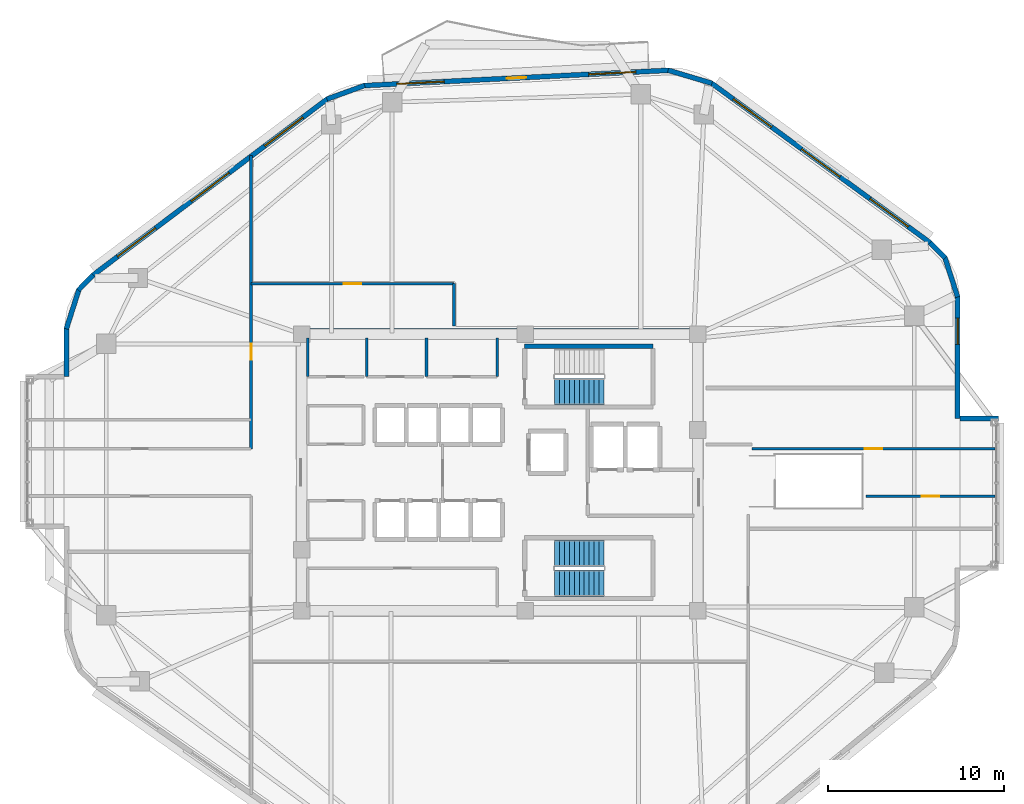
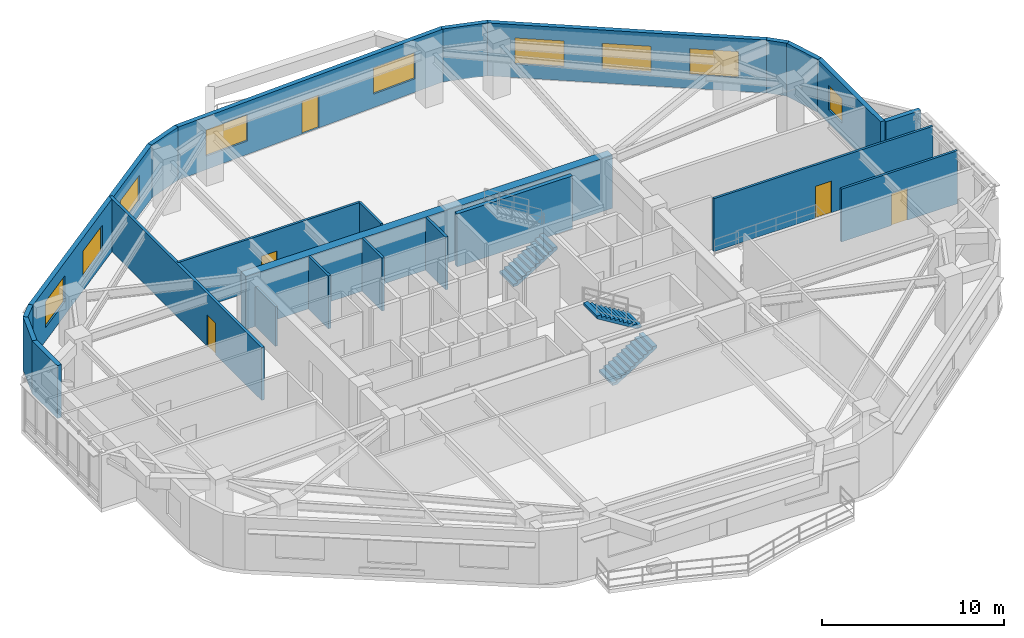
# One storey, part 10 of 14: 23 walls, 9 windows, 5 doors, 3 stair flights, 14 openings, 2 elements without a shape of their own.
"""IFC4 building model written with IfcOpenShell, lengths in metres."""

from ifc_helpers import new_model, si_unit, direction, frame, frame_2d, origin, place, context, subcontext, project, spatial, polyline, rectangle, outline, extrude, material, layer, layer_set, type_object, element, fill, aggregate, save


model = new_model("IFC4")

# Units and contexts
model_context = context("Model", 3, precision=1e-05, world=origin(), true_north=direction((0.0, 1.0)))
body_context = subcontext(model_context, "Body", "Model", "MODEL_VIEW")
ifc_project = project(units=[si_unit("LENGTHUNIT", "METRE"), si_unit("AREAUNIT", "SQUARE_METRE"), si_unit("VOLUMEUNIT", "CUBIC_METRE"), si_unit("PLANEANGLEUNIT", "RADIAN"), si_unit("MASSUNIT", "GRAM", prefix="KILO")], contexts=[model_context])

# Site, building, storey
site_placement = place(None, origin())
site = spatial("IfcSite", under=ifc_project, at=site_placement, CompositionType="ELEMENT")
building_placement = place(site_placement, origin())
building = spatial("IfcBuilding", under=site, at=building_placement, Name="Zulverin Broadcast Headquarters", CompositionType="ELEMENT")
storey_placement = place(building_placement, frame((0.0, 0.0, 128.800048828125)))
storey = spatial("IfcBuildingStorey", under=building, at=storey_placement, Name="L32", CompositionType="ELEMENT", Elevation=128.800048828125)

# Wall
ifc_material_1 = material(Name="Concrete C60/75", Category="concrete")
ifc_layer_1 = layer(ifc_material_1, 0.550048828125, Name="Concrete C60/75", Category="concrete")
ifc_layer_set_1 = layer_set([ifc_layer_1], Name="Concrete C60/75")
wall_type_1 = type_object("IfcWallType", Name="WL-CORE-550", PredefinedType="SHEAR", material=ifc_layer_set_1)
wall_1_placement = place(storey_placement, frame((25.39990234375, 33.125, 0.0), z_axis=(0.0, 0.0, 1.0), x_axis=(1.0, 0.0, 0.0)))
element("IfcWall", 1, at=wall_1_placement, inside=storey, type_object=wall_type_1, Name="L32 Core North Shear Wall", PredefinedType="SHEAR", context=body_context, shape_type="SweptSolid", body=[
    extrude(rectangle(XDim=23.2001953125, YDim=0.550048828125, at=frame_2d((11.60009765625, 0.0))), origin(), (0.0, 0.0, 1.0), 3.5400390625),
])

# Wall, opening, window
ifc_material_2 = material(Name="Insulated pale-metal clad concrete spandrel C40/50", Category="concrete")
ifc_layer_2 = layer(ifc_material_2, 0.280029296875, Name="Insulated pale-metal clad concrete spandrel C40/50", Category="concrete")
ifc_layer_set_2 = layer_set([ifc_layer_2], Name="Insulated pale-metal clad concrete spandrel C40/50")
wall_type_2 = type_object("IfcWallType", Name="WL-EXT-280", PredefinedType="STANDARD", material=ifc_layer_set_2)
wall_2_placement = place(storey_placement, frame((63.06005859375, 28.27001953125, 0.0), z_axis=(0.0, 0.0, 1.0), x_axis=(0.0, 1.0, 0.0)))
wall_2 = element("IfcWall", 2, at=wall_2_placement, inside=storey, type_object=wall_type_2, Name="L32 Pale-Metal Clad Flanking Spandrel Wall 3-2", PredefinedType="STANDARD", context=body_context, shape_type="SweptSolid", body=[
    extrude(rectangle(XDim=6.9599609375, YDim=0.280029296875, at=frame_2d((3.47998046875, 0.0))), origin(), (0.0, 0.0, 1.0), 3.5400390625),
])
opening_1_placement = place(wall_2_placement, frame((4.219970703125, 0.0, 0.89990234375)))
opening_1 = element("IfcOpeningElement", 3, at=opening_1_placement, cuts=wall_2, Name="Opening W-L32-E3F21", PredefinedType="OPENING", context=body_context, shape_type="SweptSolid", body=[
    extrude(rectangle(XDim=1.5, YDim=1.64990234375, at=frame_2d((0.75, 0.824951171875))), frame((0.0, 0.14990234375, 0.0), z_axis=(0.0, -1.0, 0.0), x_axis=(1.0, 0.0, 0.0)), (0.0, 0.0, 1.0), 0.300048828125),
])
ifc_material_3 = material(Name="Pale anodized aluminium frame with solar-control low-E double glazing", Category="aluminium")
window_type_1 = type_object("IfcWindowType", Name="WIN-STD-1500", PartitioningType="SINGLE_PANEL", PredefinedType="WINDOW", material=ifc_material_3)
window_1_placement = place(opening_1_placement, origin())
window_1 = element("IfcWindow", 4, at=window_1_placement, inside=storey, type_object=window_type_1, Name="L32 Flanking Ribbon Window 3-2 1", OverallHeight=1.64990234375, OverallWidth=1.5, PartitioningType="SINGLE_PANEL", PredefinedType="WINDOW", context=body_context, shape_type="SweptSolid", body=[
    extrude(rectangle(XDim=1.5, YDim=1.64990234375, at=frame_2d((0.75, 0.824951171875))), frame((0.0, 0.030029296875, 0.0), z_axis=(0.0, -1.0, 0.0), x_axis=(1.0, 0.0, 0.0)), (0.0, 0.0, 1.0), 0.06005859375),
])
fill(opening_1, window_1)

# Wall, openings, windows
wall_3_placement = place(storey_placement, frame((61.516357421875, 38.26708984375, 0.0), z_axis=(0.0, 0.0, 1.0), x_axis=(-0.807812505785, 0.589439526582, 0.0)))
wall_3 = element("IfcWall", 5, at=wall_3_placement, inside=storey, type_object=wall_type_2, Name="L32 Pale-Metal Clad Spandrel Wall 4", PredefinedType="STANDARD", context=body_context, shape_type="SweptSolid", body=[
    extrude(rectangle(XDim=15.448486328125, YDim=0.280029296875, at=frame_2d((7.72412109375, 0.0))), origin(), (0.0, 0.0, 1.0), 3.5400390625),
])
opening_2_placement = place(wall_3_placement, frame((1.55810546875, 0.0, 0.89990234375)))
opening_2 = element("IfcOpeningElement", 6, at=opening_2_placement, cuts=wall_3, Name="Opening W-L32-E41", PredefinedType="OPENING", context=body_context, shape_type="SweptSolid", body=[
    extrude(rectangle(XDim=2.699951171875, YDim=1.75, at=frame_2d((1.35009765625, 0.875))), frame((0.0, 0.14990234375, 0.0), z_axis=(0.0, -1.0, 0.0), x_axis=(1.0, 0.0, 0.0)), (0.0, 0.0, 1.0), 0.300048828125),
])
opening_3_placement = place(wall_3_placement, frame((6.374267578125, 0.0, 0.89990234375)))
opening_3 = element("IfcOpeningElement", 7, at=opening_3_placement, cuts=wall_3, Name="Opening W-L32-E42", PredefinedType="OPENING", context=body_context, shape_type="SweptSolid", body=[
    extrude(rectangle(XDim=2.699951171875, YDim=1.75, at=frame_2d((1.35009765625, 0.875))), frame((0.0, 0.14990234375, 0.0), z_axis=(0.0, -1.0, 0.0), x_axis=(1.0, 0.0, 0.0)), (0.0, 0.0, 1.0), 0.300048828125),
])
opening_4_placement = place(wall_3_placement, frame((11.1904296875, 0.0, 0.89990234375)))
opening_4 = element("IfcOpeningElement", 8, at=opening_4_placement, cuts=wall_3, Name="Opening W-L32-E43", PredefinedType="OPENING", context=body_context, shape_type="SweptSolid", body=[
    extrude(rectangle(XDim=2.699951171875, YDim=1.75, at=frame_2d((1.35009765625, 0.875))), frame((0.0, 0.14990234375, 0.0), z_axis=(0.0, -1.0, 0.0), x_axis=(1.0, 0.0, 0.0)), (0.0, 0.0, 1.0), 0.300048828125),
])
window_type_2 = type_object("IfcWindowType", Name="WIN-TWR-2700", PartitioningType="SINGLE_PANEL", PredefinedType="WINDOW", material=ifc_material_3)
window_2_placement = place(opening_2_placement, origin())
window_2 = element("IfcWindow", 9, at=window_2_placement, inside=storey, type_object=window_type_2, Name="L32 Ribbon Glazing Window 4 1", OverallHeight=1.75, OverallWidth=2.699951171875, PartitioningType="SINGLE_PANEL", PredefinedType="WINDOW", context=body_context, shape_type="SweptSolid", body=[
    extrude(rectangle(XDim=2.699951171875, YDim=1.75, at=frame_2d((1.35009765625, 0.875))), frame((0.0, 0.030029296875, 0.0), z_axis=(0.0, -1.0, 0.0), x_axis=(1.0, 0.0, 0.0)), (0.0, 0.0, 1.0), 0.06005859375),
])
fill(opening_2, window_2)
window_3_placement = place(opening_3_placement, origin())
window_3 = element("IfcWindow", 10, at=window_3_placement, inside=storey, type_object=window_type_2, Name="L32 Ribbon Glazing Window 4 2", OverallHeight=1.75, OverallWidth=2.699951171875, PartitioningType="SINGLE_PANEL", PredefinedType="WINDOW", context=body_context, shape_type="SweptSolid", body=[
    extrude(rectangle(XDim=2.699951171875, YDim=1.75, at=frame_2d((1.35009765625, 0.875))), frame((0.0, 0.030029296875, 0.0), z_axis=(0.0, -1.0, 0.0), x_axis=(1.0, 0.0, 0.0)), (0.0, 0.0, 1.0), 0.06005859375),
])
fill(opening_3, window_3)
window_4_placement = place(opening_4_placement, origin())
window_4 = element("IfcWindow", 11, at=window_4_placement, inside=storey, type_object=window_type_2, Name="L32 Ribbon Glazing Window 4 3", OverallHeight=1.75, OverallWidth=2.699951171875, PartitioningType="SINGLE_PANEL", PredefinedType="WINDOW", context=body_context, shape_type="SweptSolid", body=[
    extrude(rectangle(XDim=2.699951171875, YDim=1.75, at=frame_2d((1.35009765625, 0.875))), frame((0.0, 0.030029296875, 0.0), z_axis=(0.0, -1.0, 0.0), x_axis=(1.0, 0.0, 0.0)), (0.0, 0.0, 1.0), 0.06005859375),
])
fill(opening_4, window_4)

# Wall, openings, door, windows
wall_4_placement = place(storey_placement, frame((46.632080078125, 48.091064453125, 0.0), z_axis=(0.0, 0.0, 1.0), x_axis=(-0.998744129094, -0.050101542886, 0.0)))
wall_4 = element("IfcWall", 12, at=wall_4_placement, inside=storey, type_object=wall_type_2, Name="L32 Pale-Metal Clad Spandrel Wall 5", PredefinedType="STANDARD", context=body_context, shape_type="SweptSolid", body=[
    extrude(rectangle(XDim=17.381591796875, YDim=0.280029296875, at=frame_2d((8.69091796875, 0.0))), origin(), (0.0, 0.0, 1.0), 3.5400390625),
])
opening_5_placement = place(wall_4_placement, frame((8.140869140625, 0.0, 0.0)))
opening_5 = element("IfcOpeningElement", 13, at=opening_5_placement, cuts=wall_4, Name="Opening D-L32-TR5", PredefinedType="OPENING", context=body_context, shape_type="SweptSolid", body=[
    extrude(rectangle(XDim=1.10009765625, YDim=2.199951171875, at=frame_2d((0.550048828125, 1.10009765625))), frame((0.0, 0.14990234375, 0.0), z_axis=(0.0, -1.0, 0.0), x_axis=(1.0, 0.0, 0.0)), (0.0, 0.0, 1.0), 0.300048828125),
])
opening_6_placement = place(wall_4_placement, frame((1.88037109375, 0.0, 0.89990234375)))
opening_6 = element("IfcOpeningElement", 14, at=opening_6_placement, cuts=wall_4, Name="Opening W-L32-E51", PredefinedType="OPENING", context=body_context, shape_type="SweptSolid", body=[
    extrude(rectangle(XDim=2.699951171875, YDim=1.75, at=frame_2d((1.35009765625, 0.875))), frame((0.0, 0.14990234375, 0.0), z_axis=(0.0, -1.0, 0.0), x_axis=(1.0, 0.0, 0.0)), (0.0, 0.0, 1.0), 0.300048828125),
])
opening_7_placement = place(wall_4_placement, frame((12.801513671875, 0.0, 0.89990234375)))
opening_7 = element("IfcOpeningElement", 15, at=opening_7_placement, cuts=wall_4, Name="Opening W-L32-E52", PredefinedType="OPENING", context=body_context, shape_type="SweptSolid", body=[
    extrude(rectangle(XDim=2.699951171875, YDim=1.75, at=frame_2d((1.35009765625, 0.875))), frame((0.0, 0.14990234375, 0.0), z_axis=(0.0, -1.0, 0.0), x_axis=(1.0, 0.0, 0.0)), (0.0, 0.0, 1.0), 0.300048828125),
])
ifc_material_4 = material(Name="Thermally broken aluminium glazed", Category="aluminium")
door_type_1 = type_object("IfcDoorType", Name="DR-TERR-1100", OperationType="SINGLE_SWING_RIGHT", PredefinedType="DOOR", material=ifc_material_4)
door_1_placement = place(opening_5_placement, origin())
door_1 = element("IfcDoor", 16, at=door_1_placement, inside=storey, type_object=door_type_1, Name="L32 Planted Terrace Glazed Access Door 5", OperationType="SINGLE_SWING_RIGHT", OverallHeight=2.199951171875, OverallWidth=1.10009765625, PredefinedType="DOOR", context=body_context, shape_type="SweptSolid", body=[
    extrude(rectangle(XDim=1.10009765625, YDim=2.199951171875, at=frame_2d((0.550048828125, 1.10009765625))), frame((0.0, 0.02490234375, 0.0), z_axis=(0.0, -1.0, 0.0), x_axis=(1.0, 0.0, 0.0)), (0.0, 0.0, 1.0), 0.050048828125),
])
fill(opening_5, door_1)
window_5_placement = place(opening_6_placement, origin())
window_5 = element("IfcWindow", 17, at=window_5_placement, inside=storey, type_object=window_type_2, Name="L32 Ribbon Glazing Window 5 1", OverallHeight=1.75, OverallWidth=2.699951171875, PartitioningType="SINGLE_PANEL", PredefinedType="WINDOW", context=body_context, shape_type="SweptSolid", body=[
    extrude(rectangle(XDim=2.699951171875, YDim=1.75, at=frame_2d((1.35009765625, 0.875))), frame((0.0, 0.030029296875, 0.0), z_axis=(0.0, -1.0, 0.0), x_axis=(1.0, 0.0, 0.0)), (0.0, 0.0, 1.0), 0.06005859375),
])
fill(opening_6, window_5)
window_6_placement = place(opening_7_placement, origin())
window_6 = element("IfcWindow", 18, at=window_6_placement, inside=storey, type_object=window_type_2, Name="L32 Ribbon Glazing Window 5 2", OverallHeight=1.75, OverallWidth=2.699951171875, PartitioningType="SINGLE_PANEL", PredefinedType="WINDOW", context=body_context, shape_type="SweptSolid", body=[
    extrude(rectangle(XDim=2.699951171875, YDim=1.75, at=frame_2d((1.35009765625, 0.875))), frame((0.0, 0.030029296875, 0.0), z_axis=(0.0, -1.0, 0.0), x_axis=(1.0, 0.0, 0.0)), (0.0, 0.0, 1.0), 0.06005859375),
])
fill(opening_7, window_6)

# Wall, openings, windows
wall_5_placement = place(storey_placement, frame((27.201171875, 46.469970703125, 0.0), z_axis=(0.0, 0.0, 1.0), x_axis=(-0.799280853427, -0.600957666849, 0.0)))
wall_5 = element("IfcWall", 19, at=wall_5_placement, inside=storey, type_object=wall_type_2, Name="L32 Pale-Metal Clad Spandrel Wall 6", PredefinedType="STANDARD", context=body_context, shape_type="SweptSolid", body=[
    extrude(rectangle(XDim=16.716064453125, YDim=0.280029296875, at=frame_2d((8.35791015625, 0.0))), origin(), (0.0, 0.0, 1.0), 3.5400390625),
])
opening_8_placement = place(wall_5_placement, frame((1.769287109375, 0.0, 0.89990234375)))
opening_8 = element("IfcOpeningElement", 20, at=opening_8_placement, cuts=wall_5, Name="Opening W-L32-E61", PredefinedType="OPENING", context=body_context, shape_type="SweptSolid", body=[
    extrude(rectangle(XDim=2.699951171875, YDim=1.75, at=frame_2d((1.35009765625, 0.875))), frame((0.0, 0.14990234375, 0.0), z_axis=(0.0, -1.0, 0.0), x_axis=(1.0, 0.0, 0.0)), (0.0, 0.0, 1.0), 0.300048828125),
])
opening_9_placement = place(wall_5_placement, frame((7.008056640625, 0.0, 0.89990234375)))
opening_9 = element("IfcOpeningElement", 21, at=opening_9_placement, cuts=wall_5, Name="Opening W-L32-E62", PredefinedType="OPENING", context=body_context, shape_type="SweptSolid", body=[
    extrude(rectangle(XDim=2.699951171875, YDim=1.75, at=frame_2d((1.35009765625, 0.875))), frame((0.0, 0.14990234375, 0.0), z_axis=(0.0, -1.0, 0.0), x_axis=(1.0, 0.0, 0.0)), (0.0, 0.0, 1.0), 0.300048828125),
])
opening_10_placement = place(wall_5_placement, frame((12.246826171875, 0.0, 0.89990234375)))
opening_10 = element("IfcOpeningElement", 22, at=opening_10_placement, cuts=wall_5, Name="Opening W-L32-E63", PredefinedType="OPENING", context=body_context, shape_type="SweptSolid", body=[
    extrude(rectangle(XDim=2.699951171875, YDim=1.75, at=frame_2d((1.35009765625, 0.875))), frame((0.0, 0.14990234375, 0.0), z_axis=(0.0, -1.0, 0.0), x_axis=(1.0, 0.0, 0.0)), (0.0, 0.0, 1.0), 0.300048828125),
])
window_7_placement = place(opening_8_placement, origin())
window_7 = element("IfcWindow", 23, at=window_7_placement, inside=storey, type_object=window_type_2, Name="L32 Ribbon Glazing Window 6 1", OverallHeight=1.75, OverallWidth=2.699951171875, PartitioningType="SINGLE_PANEL", PredefinedType="WINDOW", context=body_context, shape_type="SweptSolid", body=[
    extrude(rectangle(XDim=2.699951171875, YDim=1.75, at=frame_2d((1.35009765625, 0.875))), frame((0.0, 0.030029296875, 0.0), z_axis=(0.0, -1.0, 0.0), x_axis=(1.0, 0.0, 0.0)), (0.0, 0.0, 1.0), 0.06005859375),
])
fill(opening_8, window_7)
window_8_placement = place(opening_9_placement, origin())
window_8 = element("IfcWindow", 24, at=window_8_placement, inside=storey, type_object=window_type_2, Name="L32 Ribbon Glazing Window 6 2", OverallHeight=1.75, OverallWidth=2.699951171875, PartitioningType="SINGLE_PANEL", PredefinedType="WINDOW", context=body_context, shape_type="SweptSolid", body=[
    extrude(rectangle(XDim=2.699951171875, YDim=1.75, at=frame_2d((1.35009765625, 0.875))), frame((0.0, 0.030029296875, 0.0), z_axis=(0.0, -1.0, 0.0), x_axis=(1.0, 0.0, 0.0)), (0.0, 0.0, 1.0), 0.06005859375),
])
fill(opening_9, window_8)
window_9_placement = place(opening_10_placement, origin())
window_9 = element("IfcWindow", 25, at=window_9_placement, inside=storey, type_object=window_type_2, Name="L32 Ribbon Glazing Window 6 3", OverallHeight=1.75, OverallWidth=2.699951171875, PartitioningType="SINGLE_PANEL", PredefinedType="WINDOW", context=body_context, shape_type="SweptSolid", body=[
    extrude(rectangle(XDim=2.699951171875, YDim=1.75, at=frame_2d((1.35009765625, 0.875))), frame((0.0, 0.030029296875, 0.0), z_axis=(0.0, -1.0, 0.0), x_axis=(1.0, 0.0, 0.0)), (0.0, 0.0, 1.0), 0.06005859375),
])
fill(opening_10, window_9)

# Walls
wall_6_placement = place(storey_placement, frame((12.340087890625, 33.4189453125, 0.0), z_axis=(0.0, 0.0, 1.0), x_axis=(0.0, -1.0, 0.0)))
element("IfcWall", 26, at=wall_6_placement, inside=storey, type_object=wall_type_2, Name="L32 Pale-Metal Clad Flanking Spandrel Wall 7-1", PredefinedType="STANDARD", context=body_context, shape_type="SweptSolid", body=[
    extrude(rectangle(XDim=2.76904296875, YDim=0.280029296875, at=frame_2d((1.384521484375, 0.0))), origin(), (0.0, 0.0, 1.0), 3.5400390625),
])
wall_7_placement = place(storey_placement, frame((63.06689453125, 35.186767578125, 0.0), z_axis=(0.0, 0.0, 1.0), x_axis=(-0.308390504294, 0.951259847182, 0.0)))
element("IfcWall", 27, at=wall_7_placement, inside=storey, type_object=wall_type_2, Name="L32 Wind-Shaped Corner Spandrel Wall 3-1", PredefinedType="STANDARD", context=body_context, shape_type="SweptSolid", body=[
    extrude(rectangle(XDim=2.405029296875, YDim=0.280029296875, at=frame_2d((1.20263671875, 0.0))), origin(), (0.0, 0.0, 1.0), 3.5400390625),
])
wall_8_placement = place(storey_placement, frame((62.359130859375, 37.419189453125, 0.0), z_axis=(0.0, 0.0, 1.0), x_axis=(-0.706003104649, 0.708208737751, 0.0)))
element("IfcWall", 28, at=wall_8_placement, inside=storey, type_object=wall_type_2, Name="L32 Wind-Shaped Corner Spandrel Wall 3-2", PredefinedType="STANDARD", context=body_context, shape_type="SweptSolid", body=[
    extrude(rectangle(XDim=1.217529296875, YDim=0.280029296875, at=frame_2d((0.60888671875, 0.0))), origin(), (0.0, 0.0, 1.0), 3.5400390625),
])
wall_9_placement = place(storey_placement, frame((49.079345703125, 47.35205078125, 0.0), z_axis=(0.0, 0.0, 1.0), x_axis=(-0.958207501709, 0.286074087726, 0.0)))
element("IfcWall", 29, at=wall_9_placement, inside=storey, type_object=wall_type_2, Name="L32 Wind-Shaped Corner Spandrel Wall 4-1", PredefinedType="STANDARD", context=body_context, shape_type="SweptSolid", body=[
    extrude(rectangle(XDim=2.60302734375, YDim=0.280029296875, at=frame_2d((1.301513671875, 0.0))), origin(), (0.0, 0.0, 1.0), 3.5400390625),
])
wall_10_placement = place(storey_placement, frame((29.31298828125, 47.228271484375, 0.0), z_axis=(0.0, 0.0, 1.0), x_axis=(-0.940226330758, -0.340550212084, 0.0)))
element("IfcWall", 30, at=wall_10_placement, inside=storey, type_object=wall_type_2, Name="L32 Wind-Shaped Corner Spandrel Wall 5-1", PredefinedType="STANDARD", context=body_context, shape_type="SweptSolid", body=[
    extrude(rectangle(XDim=2.28466796875, YDim=0.280029296875, at=frame_2d((1.142333984375, 0.0))), origin(), (0.0, 0.0, 1.0), 3.5400390625),
])
wall_11_placement = place(storey_placement, frame((13.8564453125, 36.4384765625, 0.0), z_axis=(0.0, 0.0, 1.0), x_axis=(-0.697369094044, -0.716712178404, 0.0)))
element("IfcWall", 31, at=wall_11_placement, inside=storey, type_object=wall_type_2, Name="L32 Wind-Shaped Corner Spandrel Wall 6-1", PredefinedType="STANDARD", context=body_context, shape_type="SweptSolid", body=[
    extrude(rectangle(XDim=1.198974609375, YDim=0.280029296875, at=frame_2d((0.599609375, 0.0))), origin(), (0.0, 0.0, 1.0), 3.5400390625),
])
wall_12_placement = place(storey_placement, frame((13.053466796875, 35.63427734375, 0.0), z_axis=(0.0, 0.0, 1.0), x_axis=(-0.303807416298, -0.952733464198, 0.0)))
element("IfcWall", 32, at=wall_12_placement, inside=storey, type_object=wall_type_2, Name="L32 Wind-Shaped Corner Spandrel Wall 6-2", PredefinedType="STANDARD", context=body_context, shape_type="SweptSolid", body=[
    extrude(rectangle(XDim=2.369873046875, YDim=0.280029296875, at=frame_2d((1.18505859375, 0.0))), origin(), (0.0, 0.0, 1.0), 3.5400390625),
])
wall_13_placement = place(storey_placement, frame((63.199951171875, 28.27001953125, 0.0), z_axis=(0.0, 0.0, 1.0), x_axis=(1.0, 0.0, 0.0)))
element("IfcWall", 33, at=wall_13_placement, inside=storey, type_object=wall_type_2, Name="L32 Shifted Studio Box Cheek Wall SBOX_SKY1_E-N", PredefinedType="STANDARD", context=body_context, shape_type="SweptSolid", body=[
    extrude(rectangle(XDim=2.199951171875, YDim=0.280029296875, at=frame_2d((1.10009765625, 0.0))), origin(), (0.0, 0.0, 1.0), 3.5400390625),
])
ifc_material_5 = material(Name="Fire-rated gypsum stud partition", Category="gypsum")
ifc_layer_3 = layer(ifc_material_5, 0.14990234375, Name="Fire-rated gypsum stud partition", Category="gypsum")
ifc_layer_set_3 = layer_set([ifc_layer_3], Name="Fire-rated gypsum stud partition")
wall_type_3 = type_object("IfcWallType", Name="WL-PART-150", PredefinedType="PARTITIONING", material=ifc_layer_set_3)
wall_14_placement = place(storey_placement, frame((26.070068359375, 30.64990234375, 0.0), z_axis=(0.0, 0.0, 1.0), x_axis=(0.0, 1.0, 0.0)))
element("IfcWall", 34, at=wall_14_placement, inside=storey, type_object=wall_type_3, Name="L32 Core Accessible WC West Wall", PredefinedType="PARTITIONING", context=body_context, shape_type="SweptSolid", body=[
    extrude(rectangle(XDim=2.2001953125, YDim=0.14990234375, at=frame_2d((1.10009765625, 0.0))), origin(), (0.0, 0.0, 1.0), 2.639892578125),
])
for number, where, z_axis, x_axis, name in (
    (35, (29.429931640625, 30.64990234375, 0.0), (0.0, 0.0, 1.0), (0.0, 1.0, 0.0), "L32 Core Male WC West Wall"),
    (36, (32.830078125, 30.64990234375, 0.0), (0.0, 0.0, 1.0), (0.0, 1.0, 0.0), "L32 Core Electrical Switch Riser West Wall"),
    (37, (36.85009765625, 30.64990234375, 0.0), (0.0, 0.0, 1.0), (0.0, 1.0, 0.0), "L32 Core Electrical Switch Riser East Wall"),
):
    element("IfcWall", number, at=place(storey_placement, frame(where, z_axis=z_axis, x_axis=x_axis)), inside=storey, type_object=wall_type_3, Name=name, PredefinedType="PARTITIONING", context=body_context, shape_type="SweptSolid", body=[
        extrude(rectangle(XDim=2.2001953125, YDim=0.14990234375, at=frame_2d((1.10009765625, 0.0))), origin(), (0.0, 0.0, 1.0), 3.5400390625),
    ])
wall_15_placement = place(storey_placement, frame((34.39990234375, 33.5400390625, 0.0), z_axis=(0.0, 0.0, 1.0), x_axis=(0.0, 1.0, 0.0)))
element("IfcWall", 38, at=wall_15_placement, inside=storey, type_object=wall_type_3, Name="L32 Gallery Partition Wall CG-02", PredefinedType="PARTITIONING", context=body_context, shape_type="SweptSolid", body=[
    extrude(rectangle(XDim=2.409912109375, YDim=0.14990234375, at=frame_2d((1.205078125, 0.0))), origin(), (0.0, 0.0, 1.0), 3.5400390625),
])

# Wall, opening, door
wall_16_placement = place(storey_placement, frame((57.860107421875, 23.85009765625, 0.0), z_axis=(0.0, 0.0, 1.0), x_axis=(1.0, 0.0, 0.0)))
wall_16 = element("IfcWall", 39, at=wall_16_placement, inside=storey, type_object=wall_type_3, Name="L32 Gallery Partition Wall CG-09", PredefinedType="PARTITIONING", context=body_context, shape_type="SweptSolid", body=[
    extrude(rectangle(XDim=7.3349609375, YDim=0.14990234375, at=frame_2d((3.66748046875, 0.0))), origin(), (0.0, 0.0, 1.0), 3.5400390625),
])
opening_11_placement = place(wall_16_placement, frame((3.16748046875, 0.0, 0.0)))
opening_11 = element("IfcOpeningElement", 40, at=opening_11_placement, cuts=wall_16, Name="Opening D-L32-08", PredefinedType="OPENING", context=body_context, shape_type="SweptSolid", body=[
    extrude(rectangle(XDim=1.0, YDim=2.1201171875, at=frame_2d((0.5, 1.06005859375))), frame((0.0, 0.0849609375, 0.0), z_axis=(0.0, -1.0, 0.0), x_axis=(1.0, 0.0, 0.0)), (0.0, 0.0, 1.0), 0.169921875),
])
ifc_material_6 = material(Name="Hardwood veneer acoustic leaf", Category="wood")
door_type_2 = type_object("IfcDoorType", Name="DR-OFF-1000", OperationType="SINGLE_SWING_LEFT", PredefinedType="DOOR", material=ifc_material_6)
door_2_placement = place(opening_11_placement, origin())
door_2 = element("IfcDoor", 41, at=door_2_placement, inside=storey, type_object=door_type_2, Name="L32 Current Affairs Open Workplace Door", OperationType="SINGLE_SWING_LEFT", OverallHeight=2.1201171875, OverallWidth=1.0, PredefinedType="DOOR", context=body_context, shape_type="SweptSolid", body=[
    extrude(rectangle(XDim=1.0, YDim=2.1201171875, at=frame_2d((0.5, 1.06005859375))), frame((0.0, 0.02490234375, 0.0), z_axis=(0.0, -1.0, 0.0), x_axis=(1.0, 0.0, 0.0)), (0.0, 0.0, 1.0), 0.050048828125),
])
fill(opening_11, door_2)

wall_17_placement = place(storey_placement, frame((51.35009765625, 26.550048828125, 0.0), z_axis=(0.0, 0.0, 1.0), x_axis=(1.0, 0.0, 0.0)))
wall_17 = element("IfcWall", 42, at=wall_17_placement, inside=storey, type_object=wall_type_3, Name="L32 Gallery Partition Wall CG-11", PredefinedType="PARTITIONING", context=body_context, shape_type="SweptSolid", body=[
    extrude(rectangle(XDim=13.844970703125, YDim=0.14990234375, at=frame_2d((6.92236328125, 0.0))), origin(), (0.0, 0.0, 1.0), 3.5400390625),
])
opening_12_placement = place(wall_17_placement, frame((6.422607421875, 0.0, 0.0)))
opening_12 = element("IfcOpeningElement", 43, at=opening_12_placement, cuts=wall_17, Name="Opening D-L32-09", PredefinedType="OPENING", context=body_context, shape_type="SweptSolid", body=[
    extrude(rectangle(XDim=1.0, YDim=2.1201171875, at=frame_2d((0.5, 1.06005859375))), frame((0.0, 0.0849609375, 0.0), z_axis=(0.0, -1.0, 0.0), x_axis=(1.0, 0.0, 0.0)), (0.0, 0.0, 1.0), 0.169921875),
])
door_3_placement = place(opening_12_placement, origin())
door_3 = element("IfcDoor", 44, at=door_3_placement, inside=storey, type_object=door_type_2, Name="L32 Foreign Desk Office Door", OperationType="SINGLE_SWING_RIGHT", OverallHeight=2.1201171875, OverallWidth=1.0, PredefinedType="DOOR", context=body_context, shape_type="SweptSolid", body=[
    extrude(rectangle(XDim=1.0, YDim=2.1201171875, at=frame_2d((0.5, 1.06005859375))), frame((0.0, 0.02490234375, 0.0), z_axis=(0.0, -1.0, 0.0), x_axis=(1.0, 0.0, 0.0)), (0.0, 0.0, 1.0), 0.050048828125),
])
fill(opening_12, door_3)

wall_18_placement = place(storey_placement, frame((22.85009765625, 35.949951171875, 0.0), z_axis=(0.0, 0.0, 1.0), x_axis=(1.0, 0.0, 0.0)))
wall_18 = element("IfcWall", 45, at=wall_18_placement, inside=storey, type_object=wall_type_3, Name="L32 Gallery Partition Wall CG-15", PredefinedType="PARTITIONING", context=body_context, shape_type="SweptSolid", body=[
    extrude(rectangle(XDim=11.5498046875, YDim=0.14990234375, at=frame_2d((5.77490234375, 0.0))), origin(), (0.0, 0.0, 1.0), 3.5400390625),
])
opening_13_placement = place(wall_18_placement, frame((5.27490234375, 0.0, 0.0)))
opening_13 = element("IfcOpeningElement", 46, at=opening_13_placement, cuts=wall_18, Name="Opening D-L32-01", PredefinedType="OPENING", context=body_context, shape_type="SweptSolid", body=[
    extrude(rectangle(XDim=1.0, YDim=2.1201171875, at=frame_2d((0.5, 1.06005859375))), frame((0.0, 0.0849609375, 0.0), z_axis=(0.0, -1.0, 0.0), x_axis=(1.0, 0.0, 0.0)), (0.0, 0.0, 1.0), 0.169921875),
])
door_4_placement = place(opening_13_placement, origin())
door_4 = element("IfcDoor", 47, at=door_4_placement, inside=storey, type_object=door_type_2, Name="L32 Current Affairs Open Workplace Door", OperationType="SINGLE_SWING_RIGHT", OverallHeight=2.1201171875, OverallWidth=1.0, PredefinedType="DOOR", context=body_context, shape_type="SweptSolid", body=[
    extrude(rectangle(XDim=1.0, YDim=2.1201171875, at=frame_2d((0.5, 1.06005859375))), frame((0.0, 0.02490234375, 0.0), z_axis=(0.0, -1.0, 0.0), x_axis=(1.0, 0.0, 0.0)), (0.0, 0.0, 1.0), 0.050048828125),
])
fill(opening_13, door_4)

ifc_material_7 = material(Name="Fire-rated acoustic stud wall", Category="gypsum")
ifc_layer_4 = layer(ifc_material_7, 0.175048828125, Name="Fire-rated acoustic stud wall", Category="gypsum")
ifc_layer_set_4 = layer_set([ifc_layer_4], Name="Fire-rated acoustic stud wall")
wall_type_4 = type_object("IfcWallType", Name="WL-PART-175", PredefinedType="PARTITIONING", material=ifc_layer_set_4)
wall_19_placement = place(storey_placement, frame((22.85009765625, 26.550048828125, 0.0), z_axis=(0.0, 0.0, 1.0), x_axis=(0.0, 1.0, 0.0)))
wall_19 = element("IfcWall", 48, at=wall_19_placement, inside=storey, type_object=wall_type_4, Name="L32 Gallery Partition Wall CG-04", PredefinedType="PARTITIONING", context=body_context, shape_type="SweptSolid", body=[
    extrude(rectangle(XDim=16.68359375, YDim=0.175048828125, at=frame_2d((8.341796875, 0.0))), origin(), (0.0, 0.0, 1.0), 3.5400390625),
])
opening_14_placement = place(wall_19_placement, frame((5.074951171875, 0.0, 0.0)))
opening_14 = element("IfcOpeningElement", 49, at=opening_14_placement, cuts=wall_19, Name="Opening D-L32-06", PredefinedType="OPENING", context=body_context, shape_type="SweptSolid", body=[
    extrude(rectangle(XDim=0.89990234375, YDim=2.10009765625, at=frame_2d((0.449951171875, 1.050048828125))), frame((0.0, 0.097412109375, 0.0), z_axis=(0.0, -1.0, 0.0), x_axis=(1.0, 0.0, 0.0)), (0.0, 0.0, 1.0), 0.195068359375),
])
ifc_material_8 = material(Name="Fire-rated hardwood veneer timber leaf", Category="wood")
door_type_3 = type_object("IfcDoorType", Name="DR-ROOM-900", OperationType="SINGLE_SWING_RIGHT", PredefinedType="DOOR", material=ifc_material_8)
door_5_placement = place(opening_14_placement, origin())
door_5 = element("IfcDoor", 50, at=door_5_placement, inside=storey, type_object=door_type_3, Name="L32 Refreshment Pantry Door", OperationType="SINGLE_SWING_LEFT", OverallHeight=2.10009765625, OverallWidth=0.89990234375, PredefinedType="DOOR", context=body_context, shape_type="SweptSolid", body=[
    extrude(rectangle(XDim=0.89990234375, YDim=2.10009765625, at=frame_2d((0.449951171875, 1.050048828125))), frame((0.0, 0.02490234375, 0.0), z_axis=(0.0, -1.0, 0.0), x_axis=(1.0, 0.0, 0.0)), (0.0, 0.0, 1.0), 0.050048828125),
])
fill(opening_14, door_5)

# Wall
ifc_material_9 = material(Name="Concrete C50/60", Category="concrete")
ifc_layer_5 = layer(ifc_material_9, 0.25, Name="Concrete C50/60", Category="concrete")
ifc_layer_set_5 = layer_set([ifc_layer_5], Name="Concrete C50/60")
wall_type_5 = type_object("IfcWallType", Name="WL-SHAFT-250", PredefinedType="SHEAR", material=ifc_layer_set_5)
wall_20_placement = place(storey_placement, frame((38.425048828125, 32.375, 0.0), z_axis=(0.0, 0.0, 1.0), x_axis=(1.0, 0.0, 0.0)))
element("IfcWall", 51, at=wall_20_placement, inside=storey, type_object=wall_type_5, Name="L32 ST-1 Enclosure Wall N", PredefinedType="SHEAR", context=body_context, shape_type="SweptSolid", body=[
    extrude(rectangle(XDim=7.300048828125, YDim=0.25, at=frame_2d((3.64990234375, 0.0))), origin(), (0.0, 0.0, 1.0), 3.5400390625),
])

# Stair, stair flight
ifc_material_10 = material(Name="Concrete C40/50", Category="concrete")
stair_type = type_object("IfcStairType", Name="ST-CORE-1500", PredefinedType="HALF_TURN_STAIR", material=ifc_material_10)
stair_1_placement = place(storey_placement, origin())
stair_1 = element("IfcStair", 52, at=stair_1_placement, inside=storey, type_object=stair_type, Name="L32 Core Exit Stair ST-1", PredefinedType="HALF_TURN_STAIR")
stair_flight_type = type_object("IfcStairFlightType", Name="SF-CORE-1500", PredefinedType="STRAIGHT", material=ifc_material_10)
stair_flight_1_placement = place(storey_placement, frame((40.1298828125, 29.800048828125, 0.0), z_axis=(0.0, 0.0, 1.0), x_axis=(1.0, 0.0, 0.0)))
stair_flight_1 = element("IfcStairFlight", 53, at=stair_flight_1_placement, type_object=stair_flight_type, Name="ST-1 flight 1", NumberOfRisers=11, NumberOfTreads=10, PredefinedType="STRAIGHT", RiserHeight=0.172727273, TreadLength=0.28, context=body_context, shape_type="SweptSolid", body=[
    extrude(outline(polyline([(0.0, 0.0), (0.0, 0.172607421875), (0.280029296875, 0.172607421875), (0.280029296875, 0.345458984375), (0.56005859375, 0.345458984375), (0.56005859375, 0.51806640625), (0.840087890625, 0.51806640625), (0.840087890625, 0.69091796875), (1.1201171875, 0.69091796875), (1.1201171875, 0.863525390625), (1.39990234375, 0.863525390625), (1.39990234375, 1.036376953125), (1.679931640625, 1.036376953125), (1.679931640625, 1.208984375), (1.9599609375, 1.208984375), (1.9599609375, 1.3818359375), (2.239990234375, 1.3818359375), (2.239990234375, 1.554443359375), (2.52001953125, 1.554443359375), (2.52001953125, 1.727294921875), (2.800048828125, 1.727294921875), (2.800048828125, 1.89990234375), (2.800048828125, 1.551025390625), (0.285400390625, 0.0), (0.0, 0.0)])), frame((0.0, 0.75, 0.0), z_axis=(0.0, -1.0, 0.0), x_axis=(1.0, 0.0, 0.0)), (0.0, 0.0, 1.0), 1.5),
])
aggregate(stair_1, [stair_flight_1])

# Stair, stair flights
stair_2_placement = place(storey_placement, origin())
stair_2 = element("IfcStair", 54, at=stair_2_placement, inside=storey, type_object=stair_type, Name="L32 Core Exit Stair ST-2", PredefinedType="HALF_TURN_STAIR")
stair_flight_2_placement = place(storey_placement, frame((40.1298828125, 18.89990234375, 0.0), z_axis=(0.0, 0.0, 1.0), x_axis=(1.0, 0.0, 0.0)))
stair_flight_2 = element("IfcStairFlight", 55, at=stair_flight_2_placement, type_object=stair_flight_type, Name="ST-2 flight 1", NumberOfRisers=11, NumberOfTreads=10, PredefinedType="STRAIGHT", RiserHeight=0.172727273, TreadLength=0.28, context=body_context, shape_type="SweptSolid", body=[
    extrude(outline(polyline([(0.0, 0.0), (0.0, 0.172607421875), (0.280029296875, 0.172607421875), (0.280029296875, 0.345458984375), (0.56005859375, 0.345458984375), (0.56005859375, 0.51806640625), (0.840087890625, 0.51806640625), (0.840087890625, 0.69091796875), (1.1201171875, 0.69091796875), (1.1201171875, 0.863525390625), (1.39990234375, 0.863525390625), (1.39990234375, 1.036376953125), (1.679931640625, 1.036376953125), (1.679931640625, 1.208984375), (1.9599609375, 1.208984375), (1.9599609375, 1.3818359375), (2.239990234375, 1.3818359375), (2.239990234375, 1.554443359375), (2.52001953125, 1.554443359375), (2.52001953125, 1.727294921875), (2.800048828125, 1.727294921875), (2.800048828125, 1.89990234375), (2.800048828125, 1.551025390625), (0.285400390625, 0.0), (0.0, 0.0)])), frame((0.0, 0.75, 0.0), z_axis=(0.0, -1.0, 0.0), x_axis=(1.0, 0.0, 0.0)), (0.0, 0.0, 1.0), 1.5),
])
stair_flight_3_placement = place(storey_placement, frame((42.929931640625, 20.60009765625, 1.89990234375), z_axis=(0.0, 0.0, 1.0), x_axis=(-1.0, 0.0, 0.0)))
stair_flight_3 = element("IfcStairFlight", 56, at=stair_flight_3_placement, type_object=stair_flight_type, Name="ST-2 flight 2", NumberOfRisers=11, NumberOfTreads=10, PredefinedType="STRAIGHT", RiserHeight=0.172727273, TreadLength=0.28, context=body_context, shape_type="SweptSolid", body=[
    extrude(outline(polyline([(0.0, 0.0), (0.0, 0.172607421875), (0.280029296875, 0.172607421875), (0.280029296875, 0.345458984375), (0.56005859375, 0.345458984375), (0.56005859375, 0.51806640625), (0.840087890625, 0.51806640625), (0.840087890625, 0.69091796875), (1.1201171875, 0.69091796875), (1.1201171875, 0.863525390625), (1.39990234375, 0.863525390625), (1.39990234375, 1.036376953125), (1.679931640625, 1.036376953125), (1.679931640625, 1.208984375), (1.9599609375, 1.208984375), (1.9599609375, 1.3818359375), (2.239990234375, 1.3818359375), (2.239990234375, 1.554443359375), (2.52001953125, 1.554443359375), (2.52001953125, 1.727294921875), (2.800048828125, 1.727294921875), (2.800048828125, 1.89990234375), (2.800048828125, 1.551025390625), (0.285400390625, 0.0), (0.0, 0.0)])), frame((0.0, 0.75, 0.0), z_axis=(0.0, -1.0, 0.0), x_axis=(1.0, 0.0, 0.0)), (0.0, 0.0, 1.0), 1.5),
])
aggregate(stair_2, [stair_flight_2, stair_flight_3])

save(model, "model.ifc")
